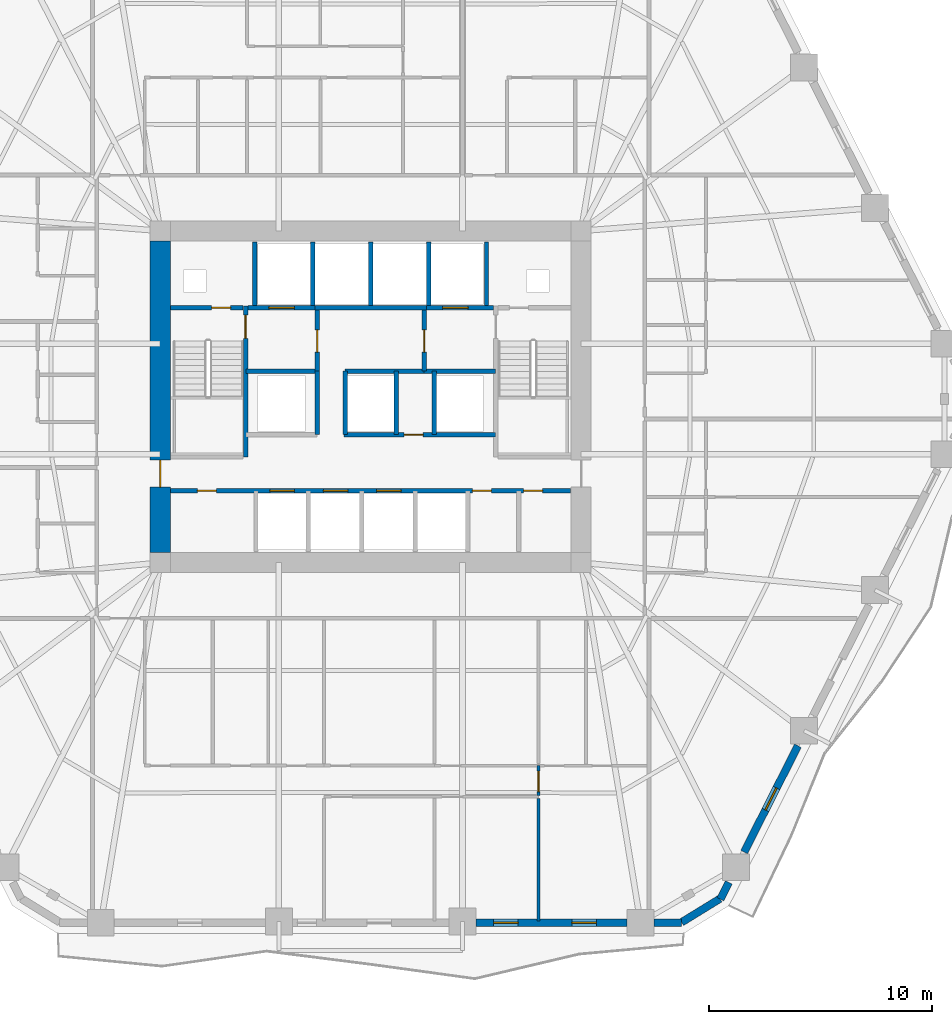
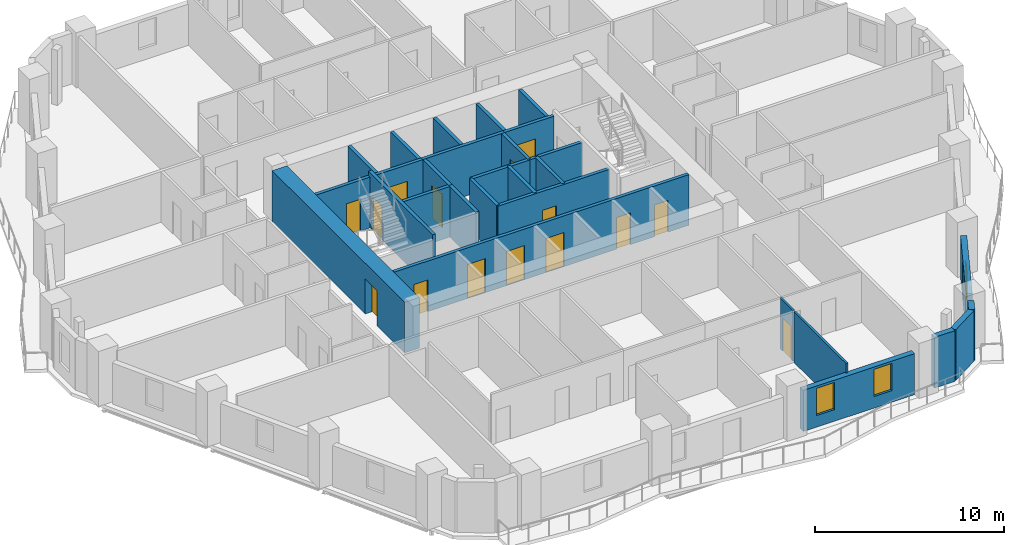
# One storey, part 5 of 12: 29 walls, 15 doors, 3 windows, 18 openings.
"""IFC4 building model written with IfcOpenShell, lengths in metres."""

import ifcopenshell
import ifcopenshell.guid

model = None  # the IFC model being written
_history = None  # IfcOwnerHistory: only IFC2X3 demands one
_inside = {}  # id of a spatial element -> (the spatial element, [elements in it])
_under = {}  # id of a project, library or spatial element -> (it, [spatial elements below it])
_declared = {}  # id of a project -> (the project, [libraries it declares])
_typed = {}  # id of a type object -> (the type object, [elements of that type])
_made_of = {}  # id of a material, layer set ... -> (it, [elements and type objects made of it])


def new_model(schema):
    """Start an empty IFC model of exactly this schema.

    Asked for "IFC4X3", IfcOpenShell would pick the latest addendum, in which some entities
    have other attributes; the version numbers below select the first issue.
    IFC2X3 requires an IfcOwnerHistory on every rooted entity: one is made here for all.
    """
    global model, _history
    if schema == "IFC4X3":
        model = ifcopenshell.file(schema_version=(4, 3, 0, 0))
    else:
        model = ifcopenshell.file(schema=schema)
    _inside.clear()
    _under.clear()
    _declared.clear()
    _typed.clear()
    _made_of.clear()
    _history = None
    if model.schema == "IFC2X3":
        org = make("IfcOrganization", Name="unknown")
        user = make(
            "IfcPersonAndOrganization",
            ThePerson=make("IfcPerson", FamilyName="unknown"),
            TheOrganization=org,
        )
        app = make(
            "IfcApplication",
            ApplicationDeveloper=org,
            Version="unknown",
            ApplicationFullName="unknown",
            ApplicationIdentifier="unknown",
        )
        _history = make(
            "IfcOwnerHistory",
            OwningUser=user,
            OwningApplication=app,
            ChangeAction="ADDED",
            CreationDate=0,
        )
    return model


def make(cls, **values):
    """One entity of the class cls with the attributes given. An attribute that is None is left unset."""
    return model.create_entity(
        cls, **{name: value for name, value in values.items() if value is not None}
    )


def rooted(cls, **values):
    """An entity with a GlobalId (a new one), such as an element, a storey or a relation."""
    return make(cls, GlobalId=ifcopenshell.guid.new(), OwnerHistory=_history, **values)


def si_unit(unit_type, name, prefix=None):
    """IfcSIUnit, for example si_unit("LENGTHUNIT", "METRE", prefix="MILLI")."""
    return make("IfcSIUnit", UnitType=unit_type, Prefix=prefix, Name=name)


def assignment(units):
    """IfcUnitAssignment: the units of a project."""
    return None if units is None else make("IfcUnitAssignment", Units=units)


def point(xyz):
    """IfcCartesianPoint."""
    return None if xyz is None else make("IfcCartesianPoint", Coordinates=xyz)


def direction(xyz):
    """IfcDirection."""
    return None if xyz is None else make("IfcDirection", DirectionRatios=xyz)


def frame(location, z_axis=None, x_axis=None):
    """IfcAxis2Placement3D, a coordinate frame: its origin and axes. An axis left out is left unset."""
    return make(
        "IfcAxis2Placement3D",
        Location=point(location),
        Axis=direction(z_axis),
        RefDirection=direction(x_axis),
    )


def frame_2d(location, x_axis=None):
    """IfcAxis2Placement2D, a coordinate frame in the plane: its origin and x axis."""
    return make(
        "IfcAxis2Placement2D", Location=point(location), RefDirection=direction(x_axis)
    )


def origin():
    """The frame at (0, 0, 0) with its axes left unset."""
    return frame((0.0, 0.0, 0.0))


def place(relative_to, where):
    """IfcLocalPlacement: puts the frame where relative to a parent placement (None: the world)."""
    return make(
        "IfcLocalPlacement", PlacementRelTo=relative_to, RelativePlacement=where
    )


def context(
    kind, dimensions, precision=None, world=None, true_north=None, identifier=None
):
    """IfcGeometricRepresentationContext, for example the 3D "Model" context."""
    return make(
        "IfcGeometricRepresentationContext",
        ContextIdentifier=identifier,
        ContextType=kind,
        CoordinateSpaceDimension=dimensions,
        Precision=precision,
        WorldCoordinateSystem=world,
        TrueNorth=true_north,
    )


def subcontext(parent, identifier, kind, view, scale=None):
    """IfcGeometricRepresentationSubContext, for example "Body" below "Model"."""
    return make(
        "IfcGeometricRepresentationSubContext",
        ContextIdentifier=identifier,
        ContextType=kind,
        ParentContext=parent,
        TargetScale=scale,
        TargetView=view,
    )


def project(units=None, contexts=None):
    """IfcProject with its units and contexts."""
    return rooted(
        "IfcProject",
        Name="project",
        RepresentationContexts=contexts,
        UnitsInContext=assignment(units),
    )


def spatial(cls, under=None, at=None, **own):
    """A site, building, storey or space (cls), placed at a placement, below another one or the project."""
    s = rooted(cls, ObjectPlacement=at, **own)
    if under is not None:
        _under.setdefault(under.id(), (under, []))[1].append(s)
    return s


def profile(cls, at=None, kind="AREA", **sizes):
    """A parametric profile (cls). Its sizes go by their IFC names, for example OverallWidth=200.0."""
    return make(cls, ProfileType=kind, Position=at, **sizes)


def rectangle(**sizes):
    """IfcRectangleProfileDef."""
    return profile("IfcRectangleProfileDef", **sizes)


def extrude(swept, where, along, depth):
    """IfcExtrudedAreaSolid: the profile swept, set in the frame where, extruded along a direction by depth."""
    return make(
        "IfcExtrudedAreaSolid",
        SweptArea=swept,
        Position=where,
        ExtrudedDirection=direction(along),
        Depth=depth,
    )


def shape(context_of_items, identifier, shape_type, items):
    """IfcShapeRepresentation: the items that make up one representation, for example the "Body"."""
    return make(
        "IfcShapeRepresentation",
        ContextOfItems=context_of_items,
        RepresentationIdentifier=identifier,
        RepresentationType=shape_type,
        Items=items,
    )


def material(Name=None, Category=None):
    """IfcMaterial."""
    return make("IfcMaterial", Name=Name, Category=Category)


def layer(
    of_material, thickness, ventilated=None, Name=None, Category=None, Priority=None
):
    """IfcMaterialLayer: one layer of a wall or slab, of a material (None: an air gap)."""
    return make(
        "IfcMaterialLayer",
        Material=of_material,
        LayerThickness=thickness,
        IsVentilated=ventilated,
        Name=Name,
        Category=Category,
        Priority=Priority,
    )


def layer_set(layers, Name=None):
    """IfcMaterialLayerSet."""
    return make("IfcMaterialLayerSet", MaterialLayers=layers, LayerSetName=Name)


def made_of(thing, what):
    """Note that an element or type object is made of a material, layer set ...; save() writes the relation."""
    if what is not None:
        _made_of.setdefault(what.id(), (what, []))[1].append(thing)
    return thing


def type_object(cls, material=None, **own):
    """A type object (cls), such as IfcWallType, which elements share."""
    return made_of(rooted(cls, **own), material)


def element(
    cls,
    number,
    at=None,
    inside=None,
    cuts=None,
    type_object=None,
    material=None,
    context=None,
    identifier="Body",
    shape_type=None,
    held_by="IfcProductDefinitionShape",
    body=None,
    shapes=None,
    **own,
):
    """One element of the class cls, such as IfcWall. Its Tag is "e" and its number.

    at: its placement. inside: the storey or other place that contains it. cuts: it is an
    opening in that element (IfcRelVoidsElement). A single representation is given by context,
    identifier, shape_type and body (its items); several are given by shapes. held_by: the class
    of the entity that holds the representations. save() writes the other relations.
    """
    e = rooted(cls, Tag="e%d" % number, ObjectPlacement=at, **own)
    if body is not None:
        shapes = [shape(context, identifier, shape_type, body)]
    if shapes is not None:
        e.Representation = make(held_by, Representations=shapes)
    if inside is not None:
        _inside.setdefault(inside.id(), (inside, []))[1].append(e)
    if cuts is not None:
        rooted(
            "IfcRelVoidsElement", RelatingBuildingElement=cuts, RelatedOpeningElement=e
        )
    if type_object is not None:
        _typed.setdefault(type_object.id(), (type_object, []))[1].append(e)
    return made_of(e, material)


def fill(opening, filler):
    """IfcRelFillsElement: the door or window that sits in an opening."""
    return rooted(
        "IfcRelFillsElement",
        RelatingOpeningElement=opening,
        RelatedBuildingElement=filler,
    )


def aggregate(whole, parts):
    """IfcRelAggregates: a whole, such as a stair, and the parts it consists of."""
    return rooted("IfcRelAggregates", RelatingObject=whole, RelatedObjects=parts)


def save(model, path):
    """Write the relations noted so far, then the file.

    IfcRelAggregates (storeys below a building ...), IfcRelContainedInSpatialStructure (elements
    in a storey), IfcRelDefinesByType, IfcRelAssociatesMaterial and IfcRelDeclares: one each for
    every whole, place, type object, material and project.
    """
    for whole, parts in _under.values():
        aggregate(whole, parts)
    for where, things in _inside.values():
        rooted(
            "IfcRelContainedInSpatialStructure",
            RelatedElements=things,
            RelatingStructure=where,
        )
    for kind, things in _typed.values():
        rooted("IfcRelDefinesByType", RelatedObjects=things, RelatingType=kind)
    for what, things in _made_of.values():
        rooted("IfcRelAssociatesMaterial", RelatedObjects=things, RelatingMaterial=what)
    for by, libraries in _declared.values():
        rooted("IfcRelDeclares", RelatingContext=by, RelatedDefinitions=libraries)
    model.write(path)


model = new_model("IFC4")

# Units and contexts
model_context = context("Model", 3, precision=1e-05, world=origin(), true_north=direction((0.0, 1.0)))
body_context = subcontext(model_context, "Body", "Model", "MODEL_VIEW")
ifc_project = project(units=[si_unit("LENGTHUNIT", "METRE"), si_unit("AREAUNIT", "SQUARE_METRE"), si_unit("VOLUMEUNIT", "CUBIC_METRE"), si_unit("PLANEANGLEUNIT", "RADIAN"), si_unit("MASSUNIT", "GRAM", prefix="KILO")], contexts=[model_context])

# Site, building, storey
site_placement = place(None, origin())
site = spatial("IfcSite", under=ifc_project, at=site_placement, CompositionType="ELEMENT")
building_placement = place(site_placement, origin())
building = spatial("IfcBuilding", under=site, at=building_placement, Name="Cinnabar Lancet Tower", CompositionType="ELEMENT")
storey_placement = place(building_placement, frame((0.0, 0.0, 71.050048828125)))
storey = spatial("IfcBuildingStorey", under=building, at=storey_placement, Name="L18", CompositionType="ELEMENT", Elevation=71.050048828125)

# Wall, opening, door
ifc_material_1 = material(Name="Autoclaved aerated concrete blockwork", Category="masonry")
ifc_layer_1 = layer(ifc_material_1, 0.199951171875)
ifc_layer_set_1 = layer_set([ifc_layer_1], Name="Autoclaved aerated concrete blockwork")
wall_type_1 = type_object("IfcWallType", Name="ARC-WL-SHAFT-200", PredefinedType="PLUMBINGWALL", material=ifc_layer_set_1)
wall_1_placement = place(storey_placement, frame((23.405029296875, 29.89990234375, 0.0), z_axis=(0.0, 0.0, 1.0), x_axis=(1.0, 0.0, 0.0)))
wall_1 = element("IfcWall", 1, at=wall_1_placement, inside=storey, type_object=wall_type_1, Name="CW-NSH-W-L18", PredefinedType="PLUMBINGWALL", context=body_context, shape_type="SweptSolid", body=[
    extrude(rectangle(XDim=3.27001953125, YDim=0.199951171875, at=frame_2d((1.635009765625, 0.0))), origin(), (0.0, 0.0, 1.0), 3.27001953125),
])
opening_1_placement = place(wall_1_placement, frame((1.85009765625, 0.0, 0.0)))
opening_1 = element("IfcOpeningElement", 2, at=opening_1_placement, cuts=wall_1, Name="Opening PD-02", PredefinedType="OPENING", context=body_context, shape_type="SweptSolid", body=[
    extrude(rectangle(XDim=0.85009765625, YDim=2.050048828125, at=frame_2d((0.425048828125, 1.02490234375))), frame((0.0, 0.10986328125, 0.0), z_axis=(0.0, -1.0, 0.0), x_axis=(1.0, 0.0, 0.0)), (0.0, 0.0, 1.0), 0.219970703125),
])
ifc_material_2 = material(Name="Fire-rated steel riser access door", Category="steel")
door_type_1 = type_object("IfcDoorType", Name="ARC-DR-RISER", OperationType="NOTDEFINED", PredefinedType="DOOR", material=ifc_material_2)
door_1_placement = place(opening_1_placement, origin())
door_1 = element("IfcDoor", 3, at=door_1_placement, inside=storey, type_object=door_type_1, Name="L18 West Riser Access Door", OperationType="SINGLE_SWING_LEFT", OverallHeight=2.050048828125, OverallWidth=0.85009765625, PredefinedType="DOOR", context=body_context, shape_type="SweptSolid", body=[
    extrude(rectangle(XDim=0.85009765625, YDim=2.050048828125, at=frame_2d((0.425048828125, 1.02490234375))), frame((0.0, 0.02490234375, 0.0), z_axis=(0.0, -1.0, 0.0), x_axis=(1.0, 0.0, 0.0)), (0.0, 0.0, 1.0), 0.050048828125),
])
fill(opening_1, door_1)

wall_2_placement = place(storey_placement, frame((26.885009765625, 29.89990234375, 0.0), z_axis=(0.0, 0.0, 1.0), x_axis=(1.0, 0.0, 0.0)))
wall_2 = element("IfcWall", 4, at=wall_2_placement, inside=storey, type_object=wall_type_1, Name="CW-FL1-L18", PredefinedType="PLUMBINGWALL", context=body_context, shape_type="SweptSolid", body=[
    extrude(rectangle(XDim=3.014892578125, YDim=0.199951171875, at=frame_2d((1.50732421875, 0.0))), origin(), (0.0, 0.0, 1.0), 3.27001953125),
])
opening_2_placement = place(wall_2_placement, frame((0.93994140625, 0.0, 0.0)))
opening_2 = element("IfcOpeningElement", 5, at=opening_2_placement, cuts=wall_2, Name="Opening LD-02", PredefinedType="OPENING", context=body_context, shape_type="SweptSolid", body=[
    extrude(rectangle(XDim=1.14990234375, YDim=2.199951171875, at=frame_2d((0.574951171875, 1.10009765625))), frame((0.0, 0.10986328125, 0.0), z_axis=(0.0, -1.0, 0.0), x_axis=(1.0, 0.0, 0.0)), (0.0, 0.0, 1.0), 0.219970703125),
])
ifc_material_3 = material(Name="Fire-rated stainless steel firefighting lift landing door", Category="steel")
door_type_2 = type_object("IfcDoorType", Name="ARC-DR-LD-FIRE", OperationType="NOTDEFINED", PredefinedType="DOOR", material=ifc_material_3)
door_2_placement = place(opening_2_placement, origin())
door_2 = element("IfcDoor", 6, at=door_2_placement, inside=storey, type_object=door_type_2, Name="L18 Firefighting Lift FL-1 Landing Door", OperationType="DOUBLE_DOOR_SLIDING", OverallHeight=2.199951171875, OverallWidth=1.14990234375, PredefinedType="DOOR", context=body_context, shape_type="SweptSolid", body=[
    extrude(rectangle(XDim=1.14990234375, YDim=2.199951171875, at=frame_2d((0.574951171875, 1.10009765625))), frame((0.0, 0.02490234375, 0.0), z_axis=(0.0, -1.0, 0.0), x_axis=(1.0, 0.0, 0.0)), (0.0, 0.0, 1.0), 0.050048828125),
])
fill(opening_2, door_2)

# Wall
wall_3_placement = place(storey_placement, frame((29.89990234375, 29.89990234375, 0.0), z_axis=(0.0, 0.0, 1.0), x_axis=(1.0, 0.0, 0.0)))
element("IfcWall", 7, at=wall_3_placement, inside=storey, type_object=wall_type_1, Name="CW-PL78-L18", PredefinedType="PLUMBINGWALL", context=body_context, shape_type="SweptSolid", body=[
    extrude(rectangle(XDim=5.0, YDim=0.199951171875, at=frame_2d((2.5, 0.0))), origin(), (0.0, 0.0, 1.0), 3.27001953125),
])

# Wall, opening, door
wall_4_placement = place(storey_placement, frame((34.89990234375, 29.89990234375, 0.0), z_axis=(0.0, 0.0, 1.0), x_axis=(1.0, 0.0, 0.0)))
wall_4 = element("IfcWall", 8, at=wall_4_placement, inside=storey, type_object=wall_type_1, Name="CW-FL2-L18", PredefinedType="PLUMBINGWALL", context=body_context, shape_type="SweptSolid", body=[
    extrude(rectangle(XDim=3.01513671875, YDim=0.199951171875, at=frame_2d((1.507568359375, 0.0))), origin(), (0.0, 0.0, 1.0), 3.27001953125),
])
opening_3_placement = place(wall_4_placement, frame((0.72509765625, 0.0, 0.0)))
opening_3 = element("IfcOpeningElement", 9, at=opening_3_placement, cuts=wall_4, Name="Opening LD-02", PredefinedType="OPENING", context=body_context, shape_type="SweptSolid", body=[
    extrude(rectangle(XDim=1.14990234375, YDim=2.199951171875, at=frame_2d((0.574951171875, 1.10009765625))), frame((0.0, 0.10986328125, 0.0), z_axis=(0.0, -1.0, 0.0), x_axis=(1.0, 0.0, 0.0)), (0.0, 0.0, 1.0), 0.219970703125),
])
door_3_placement = place(opening_3_placement, origin())
door_3 = element("IfcDoor", 10, at=door_3_placement, inside=storey, type_object=door_type_2, Name="L18 Firefighting Lift FL-2 Landing Door", OperationType="DOUBLE_DOOR_SLIDING", OverallHeight=2.199951171875, OverallWidth=1.14990234375, PredefinedType="DOOR", context=body_context, shape_type="SweptSolid", body=[
    extrude(rectangle(XDim=1.14990234375, YDim=2.199951171875, at=frame_2d((0.574951171875, 1.10009765625))), frame((0.0, 0.02490234375, 0.0), z_axis=(0.0, -1.0, 0.0), x_axis=(1.0, 0.0, 0.0)), (0.0, 0.0, 1.0), 0.050048828125),
])
fill(opening_3, door_3)

# Walls
for number, where, z_axis, x_axis, name in (
    (11, (27.199951171875, 30.0, 0.0), (0.0, 0.0, 1.0), (0.0, 1.0, 0.0), "CW-NSH-D1-L18"),
    (12, (29.800048828125, 30.0, 0.0), (0.0, 0.0, 1.0), (0.0, 1.0, 0.0), "CW-NSH-D2-L18"),
    (13, (32.39990234375, 30.0, 0.0), (0.0, 0.0, 1.0), (0.0, 1.0, 0.0), "CW-NSH-D3-L18"),
    (14, (35.0, 30.0, 0.0), (0.0, 0.0, 1.0), (0.0, 1.0, 0.0), "CW-NSH-D4-L18"),
    (15, (37.60009765625, 30.0, 0.0), (0.0, 0.0, 1.0), (0.0, 1.0, 0.0), "CW-NSH-D5-L18"),
):
    element("IfcWall", number, at=place(storey_placement, frame(where, z_axis=z_axis, x_axis=x_axis)), inside=storey, type_object=wall_type_1, Name=name, PredefinedType="PLUMBINGWALL", context=body_context, shape_type="SweptSolid", body=[
        extrude(rectangle(XDim=2.85009765625, YDim=0.199951171875, at=frame_2d((1.425048828125, 0.0))), origin(), (0.0, 0.0, 1.0), 3.27001953125),
    ])

# Wall, opening, door
wall_5_placement = place(storey_placement, frame((30.0, 27.050048828125, 0.0), z_axis=(0.0, 0.0, 1.0), x_axis=(0.0, 1.0, 0.0)))
wall_5 = element("IfcWall", 16, at=wall_5_placement, inside=storey, type_object=wall_type_1, Name="CW-FF1E-L18", PredefinedType="PLUMBINGWALL", context=body_context, shape_type="SweptSolid", body=[
    extrude(rectangle(XDim=2.75, YDim=0.199951171875, at=frame_2d((1.375, 0.0))), origin(), (0.0, 0.0, 1.0), 3.27001953125),
])
opening_4_placement = place(wall_5_placement, frame((0.85009765625, 0.0, 0.0)))
opening_4 = element("IfcOpeningElement", 17, at=opening_4_placement, cuts=wall_5, Name="Opening FD-01", PredefinedType="OPENING", context=body_context, shape_type="SweptSolid", body=[
    extrude(rectangle(XDim=1.0, YDim=2.14990234375, at=frame_2d((0.5, 1.074951171875))), frame((0.0, 0.10986328125, 0.0), z_axis=(0.0, -1.0, 0.0), x_axis=(1.0, 0.0, 0.0)), (0.0, 0.0, 1.0), 0.219970703125),
])
ifc_material_4 = material(Name="Fire-rated timber-core lobby door", Category="wood")
door_type_3 = type_object("IfcDoorType", Name="ARC-DR-FFAL", OperationType="NOTDEFINED", PredefinedType="DOOR", material=ifc_material_4)
door_4_placement = place(opening_4_placement, origin())
door_4 = element("IfcDoor", 18, at=door_4_placement, inside=storey, type_object=door_type_3, Name="L18 FFAL-1 Lobby Fire Door", OperationType="SINGLE_SWING_RIGHT", OverallHeight=2.14990234375, OverallWidth=1.0, PredefinedType="DOOR", context=body_context, shape_type="SweptSolid", body=[
    extrude(rectangle(XDim=1.0, YDim=2.14990234375, at=frame_2d((0.5, 1.074951171875))), frame((0.0, 0.02490234375, 0.0), z_axis=(0.0, -1.0, 0.0), x_axis=(1.0, 0.0, 0.0)), (0.0, 0.0, 1.0), 0.050048828125),
])
fill(opening_4, door_4)

# Wall
wall_6_placement = place(storey_placement, frame((26.800048828125, 27.050048828125, 0.0), z_axis=(0.0, 0.0, 1.0), x_axis=(1.0, 0.0, 0.0)))
element("IfcWall", 19, at=wall_6_placement, inside=storey, type_object=wall_type_1, Name="CW-FF1S-L18", PredefinedType="PLUMBINGWALL", context=body_context, shape_type="SweptSolid", body=[
    extrude(rectangle(XDim=3.199951171875, YDim=0.199951171875, at=frame_2d((1.60009765625, 0.0))), origin(), (0.0, 0.0, 1.0), 3.27001953125),
])

# Wall, opening, door
wall_7_placement = place(storey_placement, frame((34.800048828125, 27.050048828125, 0.0), z_axis=(0.0, 0.0, 1.0), x_axis=(0.0, 1.0, 0.0)))
wall_7 = element("IfcWall", 20, at=wall_7_placement, inside=storey, type_object=wall_type_1, Name="CW-FF2W-L18", PredefinedType="PLUMBINGWALL", context=body_context, shape_type="SweptSolid", body=[
    extrude(rectangle(XDim=2.75, YDim=0.199951171875, at=frame_2d((1.375, 0.0))), origin(), (0.0, 0.0, 1.0), 3.27001953125),
])
opening_5_placement = place(wall_7_placement, frame((0.85009765625, 0.0, 0.0)))
opening_5 = element("IfcOpeningElement", 21, at=opening_5_placement, cuts=wall_7, Name="Opening FD-01", PredefinedType="OPENING", context=body_context, shape_type="SweptSolid", body=[
    extrude(rectangle(XDim=1.0, YDim=2.14990234375, at=frame_2d((0.5, 1.074951171875))), frame((0.0, 0.10986328125, 0.0), z_axis=(0.0, -1.0, 0.0), x_axis=(1.0, 0.0, 0.0)), (0.0, 0.0, 1.0), 0.219970703125),
])
door_5_placement = place(opening_5_placement, origin())
door_5 = element("IfcDoor", 22, at=door_5_placement, inside=storey, type_object=door_type_3, Name="L18 FFAL-2 Lobby Fire Door", OperationType="SINGLE_SWING_LEFT", OverallHeight=2.14990234375, OverallWidth=1.0, PredefinedType="DOOR", context=body_context, shape_type="SweptSolid", body=[
    extrude(rectangle(XDim=1.0, YDim=2.14990234375, at=frame_2d((0.5, 1.074951171875))), frame((0.0, 0.02490234375, 0.0), z_axis=(0.0, -1.0, 0.0), x_axis=(1.0, 0.0, 0.0)), (0.0, 0.0, 1.0), 0.050048828125),
])
fill(opening_5, door_5)

# Walls
wall_8_placement = place(storey_placement, frame((34.800048828125, 27.050048828125, 0.0), z_axis=(0.0, 0.0, 1.0), x_axis=(1.0, 0.0, 0.0)))
element("IfcWall", 23, at=wall_8_placement, inside=storey, type_object=wall_type_1, Name="CW-FF2S-L18", PredefinedType="PLUMBINGWALL", context=body_context, shape_type="SweptSolid", body=[
    extrude(rectangle(XDim=3.199951171875, YDim=0.199951171875, at=frame_2d((1.60009765625, 0.0))), origin(), (0.0, 0.0, 1.0), 3.27001953125),
])
wall_9_placement = place(storey_placement, frame((30.0, 24.199951171875, 0.0), z_axis=(0.0, 0.0, 1.0), x_axis=(0.0, 1.0, 0.0)))
element("IfcWall", 24, at=wall_9_placement, inside=storey, type_object=wall_type_1, Name="CW-PL5E-L18", PredefinedType="PLUMBINGWALL", context=body_context, shape_type="SweptSolid", body=[
    extrude(rectangle(XDim=2.85009765625, YDim=0.199951171875, at=frame_2d((1.425048828125, 0.0))), origin(), (0.0, 0.0, 1.0), 3.27001953125),
])

# Wall, opening, door
wall_10_placement = place(storey_placement, frame((31.199951171875, 24.199951171875, 0.0), z_axis=(0.0, 0.0, 1.0), x_axis=(1.0, 0.0, 0.0)))
wall_10 = element("IfcWall", 25, at=wall_10_placement, inside=storey, type_object=wall_type_1, Name="CW-PL96S-L18", PredefinedType="PLUMBINGWALL", context=body_context, shape_type="SweptSolid", body=[
    extrude(rectangle(XDim=6.800048828125, YDim=0.199951171875, at=frame_2d((3.39990234375, 0.0))), origin(), (0.0, 0.0, 1.0), 3.27001953125),
])
opening_6_placement = place(wall_10_placement, frame((2.699951171875, 0.0, 0.0)))
opening_6 = element("IfcOpeningElement", 26, at=opening_6_placement, cuts=wall_10, Name="Opening PD-02", PredefinedType="OPENING", context=body_context, shape_type="SweptSolid", body=[
    extrude(rectangle(XDim=0.85009765625, YDim=2.050048828125, at=frame_2d((0.425048828125, 1.02490234375))), frame((0.0, 0.10986328125, 0.0), z_axis=(0.0, -1.0, 0.0), x_axis=(1.0, 0.0, 0.0)), (0.0, 0.0, 1.0), 0.219970703125),
])
door_6_placement = place(opening_6_placement, origin())
door_6 = element("IfcDoor", 27, at=door_6_placement, inside=storey, type_object=door_type_1, Name="L18 BMS Closet Door", OperationType="SINGLE_SWING_LEFT", OverallHeight=2.050048828125, OverallWidth=0.85009765625, PredefinedType="DOOR", context=body_context, shape_type="SweptSolid", body=[
    extrude(rectangle(XDim=0.85009765625, YDim=2.050048828125, at=frame_2d((0.425048828125, 1.02490234375))), frame((0.0, 0.02490234375, 0.0), z_axis=(0.0, -1.0, 0.0), x_axis=(1.0, 0.0, 0.0)), (0.0, 0.0, 1.0), 0.050048828125),
])
fill(opening_6, door_6)

# Walls
for number, where, z_axis, x_axis, name in (
    (28, (31.25, 24.199951171875, 0.0), (0.0, 0.0, 1.0), (0.0, 1.0, 0.0), "CW-PL9W-L18"),
    (29, (33.550048828125, 24.199951171875, 0.0), (0.0, 0.0, 1.0), (0.0, 1.0, 0.0), "CW-PL9E-L18"),
    (30, (35.25, 24.199951171875, 0.0), (0.0, 0.0, 1.0), (0.0, 1.0, 0.0), "CW-PL6W-L18"),
):
    element("IfcWall", number, at=place(storey_placement, frame(where, z_axis=z_axis, x_axis=x_axis)), inside=storey, type_object=wall_type_1, Name=name, PredefinedType="PLUMBINGWALL", context=body_context, shape_type="SweptSolid", body=[
        extrude(rectangle(XDim=2.85009765625, YDim=0.199951171875, at=frame_2d((1.425048828125, 0.0))), origin(), (0.0, 0.0, 1.0), 3.27001953125),
    ])
wall_11_placement = place(storey_placement, frame((31.25, 27.050048828125, 0.0), z_axis=(0.0, 0.0, 1.0), x_axis=(1.0, 0.0, 0.0)))
element("IfcWall", 31, at=wall_11_placement, inside=storey, type_object=wall_type_1, Name="CW-PL96N-L18", PredefinedType="PLUMBINGWALL", context=body_context, shape_type="SweptSolid", body=[
    extrude(rectangle(XDim=3.550048828125, YDim=0.199951171875, at=frame_2d((1.77490234375, 0.0))), origin(), (0.0, 0.0, 1.0), 3.27001953125),
])

# Wall, openings, doors
wall_12_placement = place(storey_placement, frame((23.419921875, 21.679931640625, 0.0), z_axis=(0.0, 0.0, 1.0), x_axis=(1.0, 0.0, 0.0)))
wall_12 = element("IfcWall", 32, at=wall_12_placement, inside=storey, type_object=wall_type_1, Name="CW-SBANDN-L18", PredefinedType="PLUMBINGWALL", context=body_context, shape_type="SweptSolid", body=[
    extrude(rectangle(XDim=17.9599609375, YDim=0.199951171875, at=frame_2d((8.97998046875, 0.0))), origin(), (0.0, 0.0, 1.0), 3.27001953125),
])
opening_7_placement = place(wall_12_placement, frame((4.449951171875, 0.0, 0.0)))
opening_7 = element("IfcOpeningElement", 33, at=opening_7_placement, cuts=wall_12, Name="Opening LD-01", PredefinedType="OPENING", context=body_context, shape_type="SweptSolid", body=[
    extrude(rectangle(XDim=1.10009765625, YDim=2.199951171875, at=frame_2d((0.550048828125, 1.10009765625))), frame((0.0, 0.10986328125, 0.0), z_axis=(0.0, -1.0, 0.0), x_axis=(1.0, 0.0, 0.0)), (0.0, 0.0, 1.0), 0.219970703125),
])
opening_8_placement = place(wall_12_placement, frame((6.85009765625, 0.0, 0.0)))
opening_8 = element("IfcOpeningElement", 34, at=opening_8_placement, cuts=wall_12, Name="Opening LD-01", PredefinedType="OPENING", context=body_context, shape_type="SweptSolid", body=[
    extrude(rectangle(XDim=1.10009765625, YDim=2.199951171875, at=frame_2d((0.550048828125, 1.10009765625))), frame((0.0, 0.10986328125, 0.0), z_axis=(0.0, -1.0, 0.0), x_axis=(1.0, 0.0, 0.0)), (0.0, 0.0, 1.0), 0.219970703125),
])
opening_9_placement = place(wall_12_placement, frame((9.25, 0.0, 0.0)))
opening_9 = element("IfcOpeningElement", 35, at=opening_9_placement, cuts=wall_12, Name="Opening LD-01", PredefinedType="OPENING", context=body_context, shape_type="SweptSolid", body=[
    extrude(rectangle(XDim=1.10009765625, YDim=2.199951171875, at=frame_2d((0.550048828125, 1.10009765625))), frame((0.0, 0.10986328125, 0.0), z_axis=(0.0, -1.0, 0.0), x_axis=(1.0, 0.0, 0.0)), (0.0, 0.0, 1.0), 0.219970703125),
])
opening_10_placement = place(wall_12_placement, frame((1.199951171875, 0.0, 0.0)))
opening_10 = element("IfcOpeningElement", 36, at=opening_10_placement, cuts=wall_12, Name="Opening PD-02", PredefinedType="OPENING", context=body_context, shape_type="SweptSolid", body=[
    extrude(rectangle(XDim=0.85009765625, YDim=2.050048828125, at=frame_2d((0.425048828125, 1.02490234375))), frame((0.0, 0.10986328125, 0.0), z_axis=(0.0, -1.0, 0.0), x_axis=(1.0, 0.0, 0.0)), (0.0, 0.0, 1.0), 0.219970703125),
])
opening_11_placement = place(wall_12_placement, frame((13.550048828125, 0.0, 0.0)))
opening_11 = element("IfcOpeningElement", 37, at=opening_11_placement, cuts=wall_12, Name="Opening PD-02", PredefinedType="OPENING", context=body_context, shape_type="SweptSolid", body=[
    extrude(rectangle(XDim=0.85009765625, YDim=2.050048828125, at=frame_2d((0.425048828125, 1.02490234375))), frame((0.0, 0.10986328125, 0.0), z_axis=(0.0, -1.0, 0.0), x_axis=(1.0, 0.0, 0.0)), (0.0, 0.0, 1.0), 0.219970703125),
])
opening_12_placement = place(wall_12_placement, frame((15.85009765625, 0.0, 0.0)))
opening_12 = element("IfcOpeningElement", 38, at=opening_12_placement, cuts=wall_12, Name="Opening PD-02", PredefinedType="OPENING", context=body_context, shape_type="SweptSolid", body=[
    extrude(rectangle(XDim=0.85009765625, YDim=2.050048828125, at=frame_2d((0.425048828125, 1.02490234375))), frame((0.0, 0.10986328125, 0.0), z_axis=(0.0, -1.0, 0.0), x_axis=(1.0, 0.0, 0.0)), (0.0, 0.0, 1.0), 0.219970703125),
])
ifc_material_5 = material(Name="Brushed stainless steel sliding lift door", Category="steel")
door_type_4 = type_object("IfcDoorType", Name="ARC-DR-LD-PASS", OperationType="NOTDEFINED", PredefinedType="DOOR", material=ifc_material_5)
door_7_placement = place(opening_7_placement, origin())
door_7 = element("IfcDoor", 39, at=door_7_placement, inside=storey, type_object=door_type_4, Name="L18 Lift PL-1 Landing Door", OperationType="DOUBLE_DOOR_SLIDING", OverallHeight=2.199951171875, OverallWidth=1.10009765625, PredefinedType="DOOR", context=body_context, shape_type="SweptSolid", body=[
    extrude(rectangle(XDim=1.10009765625, YDim=2.199951171875, at=frame_2d((0.550048828125, 1.10009765625))), frame((0.0, 0.02490234375, 0.0), z_axis=(0.0, -1.0, 0.0), x_axis=(1.0, 0.0, 0.0)), (0.0, 0.0, 1.0), 0.050048828125),
])
fill(opening_7, door_7)
door_8_placement = place(opening_8_placement, origin())
door_8 = element("IfcDoor", 40, at=door_8_placement, inside=storey, type_object=door_type_4, Name="L18 Lift PL-2 Landing Door", OperationType="DOUBLE_DOOR_SLIDING", OverallHeight=2.199951171875, OverallWidth=1.10009765625, PredefinedType="DOOR", context=body_context, shape_type="SweptSolid", body=[
    extrude(rectangle(XDim=1.10009765625, YDim=2.199951171875, at=frame_2d((0.550048828125, 1.10009765625))), frame((0.0, 0.02490234375, 0.0), z_axis=(0.0, -1.0, 0.0), x_axis=(1.0, 0.0, 0.0)), (0.0, 0.0, 1.0), 0.050048828125),
])
fill(opening_8, door_8)
door_9_placement = place(opening_9_placement, origin())
door_9 = element("IfcDoor", 41, at=door_9_placement, inside=storey, type_object=door_type_4, Name="L18 Lift PL-3 Landing Door", OperationType="DOUBLE_DOOR_SLIDING", OverallHeight=2.199951171875, OverallWidth=1.10009765625, PredefinedType="DOOR", context=body_context, shape_type="SweptSolid", body=[
    extrude(rectangle(XDim=1.10009765625, YDim=2.199951171875, at=frame_2d((0.550048828125, 1.10009765625))), frame((0.0, 0.02490234375, 0.0), z_axis=(0.0, -1.0, 0.0), x_axis=(1.0, 0.0, 0.0)), (0.0, 0.0, 1.0), 0.050048828125),
])
fill(opening_9, door_9)
door_10_placement = place(opening_10_placement, origin())
door_10 = element("IfcDoor", 42, at=door_10_placement, inside=storey, type_object=door_type_1, Name="DR-L18-SW1", OperationType="SINGLE_SWING_LEFT", OverallHeight=2.050048828125, OverallWidth=0.85009765625, PredefinedType="DOOR", context=body_context, shape_type="SweptSolid", body=[
    extrude(rectangle(XDim=0.85009765625, YDim=2.050048828125, at=frame_2d((0.425048828125, 1.02490234375))), frame((0.0, 0.02490234375, 0.0), z_axis=(0.0, -1.0, 0.0), x_axis=(1.0, 0.0, 0.0)), (0.0, 0.0, 1.0), 0.050048828125),
])
fill(opening_10, door_10)
door_11_placement = place(opening_11_placement, origin())
door_11 = element("IfcDoor", 43, at=door_11_placement, inside=storey, type_object=door_type_1, Name="DR-L18-SE1", OperationType="SINGLE_SWING_LEFT", OverallHeight=2.050048828125, OverallWidth=0.85009765625, PredefinedType="DOOR", context=body_context, shape_type="SweptSolid", body=[
    extrude(rectangle(XDim=0.85009765625, YDim=2.050048828125, at=frame_2d((0.425048828125, 1.02490234375))), frame((0.0, 0.02490234375, 0.0), z_axis=(0.0, -1.0, 0.0), x_axis=(1.0, 0.0, 0.0)), (0.0, 0.0, 1.0), 0.050048828125),
])
fill(opening_11, door_11)
door_12_placement = place(opening_12_placement, origin())
door_12 = element("IfcDoor", 44, at=door_12_placement, inside=storey, type_object=door_type_1, Name="DR-L18-SE2", OperationType="SINGLE_SWING_RIGHT", OverallHeight=2.050048828125, OverallWidth=0.85009765625, PredefinedType="DOOR", context=body_context, shape_type="SweptSolid", body=[
    extrude(rectangle(XDim=0.85009765625, YDim=2.050048828125, at=frame_2d((0.425048828125, 1.02490234375))), frame((0.0, 0.02490234375, 0.0), z_axis=(0.0, -1.0, 0.0), x_axis=(1.0, 0.0, 0.0)), (0.0, 0.0, 1.0), 0.050048828125),
])
fill(opening_12, door_12)

# Wall, opening, door
ifc_material_6 = material(Name="Gypsum plasterboard stud partition", Category="gypsum")
ifc_layer_2 = layer(ifc_material_6, 0.125)
ifc_layer_set_2 = layer_set([ifc_layer_2], Name="Gypsum plasterboard stud partition")
wall_type_2 = type_object("IfcWallType", Name="ARC-WL-UNIT-125", PredefinedType="PARTITIONING", material=ifc_layer_set_2)
wall_13_placement = place(storey_placement, frame((39.93505859375, 8.007080078125, 0.0), z_axis=(0.0, 0.0, 1.0), x_axis=(0.0, 1.0, 0.0)))
wall_13 = element("IfcWall", 45, at=wall_13_placement, inside=storey, type_object=wall_type_2, Name="UW-L18-S01-MBE", PredefinedType="PARTITIONING", context=body_context, shape_type="SweptSolid", body=[
    extrude(rectangle(XDim=1.329833984375, YDim=0.125, at=frame_2d((0.6650390625, 0.0))), origin(), (0.0, 0.0, 1.0), 3.27001953125),
])
opening_13_placement = place(wall_13_placement, frame((0.159912109375, 0.0, 0.0)))
opening_13 = element("IfcOpeningElement", 46, at=opening_13_placement, cuts=wall_13, Name="Opening RD-01", PredefinedType="OPENING", context=body_context, shape_type="SweptSolid", body=[
    extrude(rectangle(XDim=0.919921875, YDim=2.14990234375, at=frame_2d((0.4599609375, 1.074951171875))), frame((0.0, 0.072509765625, 0.0), z_axis=(0.0, -1.0, 0.0), x_axis=(1.0, 0.0, 0.0)), (0.0, 0.0, 1.0), 0.14501953125),
])
ifc_material_7 = material(Name="Engineered timber bedroom door", Category="wood")
door_type_5 = type_object("IfcDoorType", Name="ARC-DR-ROOM", OperationType="NOTDEFINED", PredefinedType="DOOR", material=ifc_material_7)
door_13_placement = place(opening_13_placement, origin())
door_13 = element("IfcDoor", 47, at=door_13_placement, inside=storey, type_object=door_type_5, Name="DR-L18-S01-MBD", OperationType="SINGLE_SWING_RIGHT", OverallHeight=2.14990234375, OverallWidth=0.919921875, PredefinedType="DOOR", context=body_context, shape_type="SweptSolid", body=[
    extrude(rectangle(XDim=0.919921875, YDim=2.14990234375, at=frame_2d((0.4599609375, 1.074951171875))), frame((0.0, 0.02490234375, 0.0), z_axis=(0.0, -1.0, 0.0), x_axis=(1.0, 0.0, 0.0)), (0.0, 0.0, 1.0), 0.050048828125),
])
fill(opening_13, door_13)

# Walls
wall_14_placement = place(storey_placement, frame((39.93505859375, 2.364990234375, 0.0), z_axis=(0.0, 0.0, 1.0), x_axis=(0.0, 1.0, 0.0)))
element("IfcWall", 48, at=wall_14_placement, inside=storey, type_object=wall_type_2, Name="UW-L18-S01-B23W", PredefinedType="PARTITIONING", context=body_context, shape_type="SweptSolid", body=[
    extrude(rectangle(XDim=5.507080078125, YDim=0.125, at=frame_2d((2.75341796875, 0.0))), origin(), (0.0, 0.0, 1.0), 3.27001953125),
])
ifc_material_8 = material(Name="Cinnabar red clay brick", Category="masonry")
ifc_layer_3 = layer(ifc_material_8, 0.340087890625)
ifc_layer_set_3 = layer_set([ifc_layer_3], Name="Cinnabar red clay brick")
wall_type_3 = type_object("IfcWallType", Name="ENV-WL-BRK-RED-340", PredefinedType="STANDARD", material=ifc_layer_set_3)
wall_15_placement = place(storey_placement, frame((46.361083984375, 2.304931640625, 0.0), z_axis=(0.0, 0.0, 1.0), x_axis=(0.851816122478, 0.523840904748, 0.0)))
element("IfcWall", 49, at=wall_15_placement, inside=storey, type_object=wall_type_3, Name="L18 Chamfered Corner Brick Pier 2.1", PredefinedType="STANDARD", context=body_context, shape_type="SweptSolid", body=[
    extrude(rectangle(XDim=2.01806640625, YDim=0.340087890625, at=frame_2d((1.009033203125, 0.0))), origin(), (0.0, 0.0, 1.0), 3.27001953125),
])

# Wall, openings, windows
wall_16_placement = place(storey_placement, frame((37.1259765625, 2.280029296875, 0.0), z_axis=(0.0, 0.0, 1.0), x_axis=(1.0, 0.0, 0.0)))
wall_16 = element("IfcWall", 50, at=wall_16_placement, inside=storey, type_object=wall_type_3, Name="L18 Face 1 Masonry Bay Wall 4", PredefinedType="STANDARD", context=body_context, shape_type="SweptSolid", body=[
    extrude(rectangle(XDim=6.787109375, YDim=0.340087890625, at=frame_2d((3.3935546875, 0.0))), origin(), (0.0, 0.0, 1.0), 2.65185546875),
])
opening_14_placement = place(wall_16_placement, frame((0.798095703125, 0.0, 0.75)))
opening_14 = element("IfcOpeningElement", 51, at=opening_14_placement, cuts=wall_16, Name="Opening WN-04", PredefinedType="OPENING", context=body_context, shape_type="SweptSolid", body=[
    extrude(rectangle(XDim=1.10009765625, YDim=1.751953125, at=frame_2d((0.550048828125, 0.8759765625))), frame((0.0, 0.179931640625, 0.0), z_axis=(0.0, -1.0, 0.0), x_axis=(1.0, 0.0, 0.0)), (0.0, 0.0, 1.0), 0.360107421875),
])
opening_15_placement = place(wall_16_placement, frame((4.303955078125, 0.0, 0.75)))
opening_15 = element("IfcOpeningElement", 52, at=opening_15_placement, cuts=wall_16, Name="Opening WN-04", PredefinedType="OPENING", context=body_context, shape_type="SweptSolid", body=[
    extrude(rectangle(XDim=1.10009765625, YDim=1.751953125, at=frame_2d((0.550048828125, 0.8759765625))), frame((0.0, 0.179931640625, 0.0), z_axis=(0.0, -1.0, 0.0), x_axis=(1.0, 0.0, 0.0)), (0.0, 0.0, 1.0), 0.360107421875),
])
ifc_material_9 = material(Name="Thermally broken bronze-anodized aluminium tall lancet window", Category="aluminium")
window_type = type_object("IfcWindowType", Name="ENV-WN-LANCET-1100", PartitioningType="SINGLE_PANEL", PredefinedType="WINDOW", material=ifc_material_9)
window_1_placement = place(opening_14_placement, origin())
window_1 = element("IfcWindow", 53, at=window_1_placement, inside=storey, type_object=window_type, Name="L18 Face 1 Gothic Lancet Window 4", OverallHeight=1.751953125, OverallWidth=1.10009765625, PartitioningType="SINGLE_PANEL", PredefinedType="WINDOW", context=body_context, shape_type="SweptSolid", body=[
    extrude(rectangle(XDim=1.10009765625, YDim=1.751953125, at=frame_2d((0.550048828125, 0.8759765625))), frame((0.0, 0.030029296875, 0.0), z_axis=(0.0, -1.0, 0.0), x_axis=(1.0, 0.0, 0.0)), (0.0, 0.0, 1.0), 0.06005859375),
])
fill(opening_14, window_1)
window_2_placement = place(opening_15_placement, origin())
window_2 = element("IfcWindow", 54, at=window_2_placement, inside=storey, type_object=window_type, Name="L18 Split-Bay Gothic Lancet Window 46", OverallHeight=1.751953125, OverallWidth=1.10009765625, PartitioningType="SINGLE_PANEL", PredefinedType="WINDOW", context=body_context, shape_type="SweptSolid", body=[
    extrude(rectangle(XDim=1.10009765625, YDim=1.751953125, at=frame_2d((0.550048828125, 0.8759765625))), frame((0.0, 0.030029296875, 0.0), z_axis=(0.0, -1.0, 0.0), x_axis=(1.0, 0.0, 0.0)), (0.0, 0.0, 1.0), 0.06005859375),
])
fill(opening_15, window_2)

# Walls
wall_17_placement = place(storey_placement, frame((45.12109375, 2.280029296875, 0.0), z_axis=(0.0, 0.0, 1.0), x_axis=(1.0, 0.0, 0.0)))
element("IfcWall", 55, at=wall_17_placement, inside=storey, type_object=wall_type_3, Name="L18 Face 1 Masonry Bay Wall 5", PredefinedType="STANDARD", context=body_context, shape_type="SweptSolid", body=[
    extrude(rectangle(XDim=1.244873046875, YDim=0.340087890625, at=frame_2d((0.62255859375, 0.0))), origin(), (0.0, 0.0, 1.0), 3.27001953125),
])
wall_18_placement = place(storey_placement, frame((48.10009765625, 3.345947265625, 0.0), z_axis=(0.0, 0.0, 1.0), x_axis=(0.45187807258, 0.892079709175, 0.0)))
element("IfcWall", 56, at=wall_18_placement, inside=storey, type_object=wall_type_3, Name="L18 Face 2 Masonry Bay Wall 1", PredefinedType="STANDARD", context=body_context, shape_type="SweptSolid", body=[
    extrude(rectangle(XDim=0.83642578125, YDim=0.340087890625, at=frame_2d((0.418212890625, 0.0))), origin(), (0.0, 0.0, 1.0), 3.27001953125),
])

# Wall, opening, window
wall_19_placement = place(storey_placement, frame((49.166015625, 5.4541015625, 0.0), z_axis=(0.0, 0.0, 1.0), x_axis=(0.451697561555, 0.892171123095, 0.0)))
wall_19 = element("IfcWall", 57, at=wall_19_placement, inside=storey, type_object=wall_type_3, Name="L18 Face 2 Masonry Bay Wall 2", PredefinedType="STANDARD", context=body_context, shape_type="SweptSolid", body=[
    extrude(rectangle(XDim=5.350830078125, YDim=0.340087890625, at=frame_2d((2.67529296875, 0.0))), origin(), (0.0, 0.0, 1.0), 2.65185546875),
])
opening_16_placement = place(wall_19_placement, frame((2.125, 0.0, 0.75)))
opening_16 = element("IfcOpeningElement", 58, at=opening_16_placement, cuts=wall_19, Name="Opening WN-04", PredefinedType="OPENING", context=body_context, shape_type="SweptSolid", body=[
    extrude(rectangle(XDim=1.10009765625, YDim=1.751953125, at=frame_2d((0.550048828125, 0.8759765625))), frame((0.0, 0.179931640625, 0.0), z_axis=(0.0, -1.0, 0.0), x_axis=(1.0, 0.0, 0.0)), (0.0, 0.0, 1.0), 0.360107421875),
])
window_3_placement = place(opening_16_placement, origin())
window_3 = element("IfcWindow", 59, at=window_3_placement, inside=storey, type_object=window_type, Name="L18 Face 2 Gothic Lancet Window 2", OverallHeight=1.751953125, OverallWidth=1.10009765625, PartitioningType="SINGLE_PANEL", PredefinedType="WINDOW", context=body_context, shape_type="SweptSolid", body=[
    extrude(rectangle(XDim=1.10009765625, YDim=1.751953125, at=frame_2d((0.550048828125, 0.8759765625))), frame((0.0, 0.030029296875, 0.0), z_axis=(0.0, -1.0, 0.0), x_axis=(1.0, 0.0, 0.0)), (0.0, 0.0, 1.0), 0.06005859375),
])
fill(opening_16, window_3)

# Wall, opening, door
ifc_material_10 = material(Name="Concrete C80/95", Category="concrete")
ifc_layer_4 = layer(ifc_material_10, 0.89990234375)
ifc_layer_set_4 = layer_set([ifc_layer_4], Name="Concrete C80/95")
wall_type_4 = type_object("IfcWallType", Name="STR-WL-CORE-900", PredefinedType="SHEAR", material=ifc_layer_set_4)
wall_20_placement = place(storey_placement, frame((22.949951171875, 18.89990234375, 0.0), z_axis=(0.0, 0.0, 1.0), x_axis=(0.0, 1.0, 0.0)))
wall_20 = element("IfcWall", 60, at=wall_20_placement, inside=storey, type_object=wall_type_4, Name="L18 Core Shear Wall W", PredefinedType="SHEAR", context=body_context, shape_type="SweptSolid", body=[
    extrude(rectangle(XDim=14.0, YDim=0.89990234375, at=frame_2d((7.0, 0.0))), origin(), (0.0, 0.0, 1.0), 3.27001953125),
])
opening_17_placement = place(wall_20_placement, frame((2.93994140625, 0.0, 0.0)))
opening_17 = element("IfcOpeningElement", 61, at=opening_17_placement, cuts=wall_20, Name="Opening FD-02", PredefinedType="OPENING", context=body_context, shape_type="SweptSolid", body=[
    extrude(rectangle(XDim=1.219970703125, YDim=2.25, at=frame_2d((0.60986328125, 1.125))), frame((0.0, 0.4599609375, 0.0), z_axis=(0.0, -1.0, 0.0), x_axis=(1.0, 0.0, 0.0)), (0.0, 0.0, 1.0), 0.919921875),
])
ifc_material_11 = material(Name="Fire-rated double-vision core portal door", Category="wood")
door_type_6 = type_object("IfcDoorType", Name="ARC-DR-CPORT", OperationType="NOTDEFINED", PredefinedType="DOOR", material=ifc_material_11)
door_14_placement = place(opening_17_placement, origin())
door_14 = element("IfcDoor", 62, at=door_14_placement, inside=storey, type_object=door_type_6, Name="L18 West Core Lobby Fire Door", OperationType="SINGLE_SWING_RIGHT", OverallHeight=2.25, OverallWidth=1.219970703125, PredefinedType="DOOR", context=body_context, shape_type="SweptSolid", body=[
    extrude(rectangle(XDim=1.219970703125, YDim=2.25, at=frame_2d((0.60986328125, 1.125))), frame((0.0, 0.02490234375, 0.0), z_axis=(0.0, -1.0, 0.0), x_axis=(1.0, 0.0, 0.0)), (0.0, 0.0, 1.0), 0.050048828125),
])
fill(opening_17, door_14)

ifc_material_12 = material(Name="Concrete C50/60", Category="concrete")
ifc_layer_5 = layer(ifc_material_12, 0.199951171875)
ifc_layer_set_5 = layer_set([ifc_layer_5], Name="Concrete C50/60")
wall_type_5 = type_object("IfcWallType", Name="STR-WL-STAIR-200", PredefinedType="SHEAR", material=ifc_layer_set_5)
wall_21_placement = place(storey_placement, frame((26.780029296875, 23.199951171875, 0.0), z_axis=(0.0, 0.0, 1.0), x_axis=(0.0, 1.0, 0.0)))
wall_21 = element("IfcWall", 63, at=wall_21_placement, inside=storey, type_object=wall_type_5, Name="L18 Stair ST-1 Structural Enclosure Wall", PredefinedType="SHEAR", context=body_context, shape_type="SweptSolid", body=[
    extrude(rectangle(XDim=6.780029296875, YDim=0.199951171875, at=frame_2d((3.39013671875, 0.0))), origin(), (0.0, 0.0, 1.0), 3.550048828125),
])
opening_18_placement = place(wall_21_placement, frame((5.320068359375, 0.0, 0.0)))
opening_18 = element("IfcOpeningElement", 64, at=opening_18_placement, cuts=wall_21, Name="Opening SD-01", PredefinedType="OPENING", context=body_context, shape_type="SweptSolid", body=[
    extrude(rectangle(XDim=1.050048828125, YDim=2.14990234375, at=frame_2d((0.52490234375, 1.074951171875))), frame((0.0, 0.10986328125, 0.0), z_axis=(0.0, -1.0, 0.0), x_axis=(1.0, 0.0, 0.0)), (0.0, 0.0, 1.0), 0.219970703125),
])
ifc_material_13 = material(Name="Fire-rated steel stair exit door", Category="steel")
door_type_7 = type_object("IfcDoorType", Name="ARC-DR-STAIR", OperationType="NOTDEFINED", PredefinedType="DOOR", material=ifc_material_13)
door_15_placement = place(opening_18_placement, origin())
door_15 = element("IfcDoor", 65, at=door_15_placement, inside=storey, type_object=door_type_7, Name="L18 Stair ST-1 Fire Door", OperationType="SINGLE_SWING_LEFT", OverallHeight=2.14990234375, OverallWidth=1.050048828125, PredefinedType="DOOR", context=body_context, shape_type="SweptSolid", body=[
    extrude(rectangle(XDim=1.050048828125, YDim=2.14990234375, at=frame_2d((0.52490234375, 1.074951171875))), frame((0.0, 0.02490234375, 0.0), z_axis=(0.0, -1.0, 0.0), x_axis=(1.0, 0.0, 0.0)), (0.0, 0.0, 1.0), 0.050048828125),
])
fill(opening_18, door_15)

save(model, "model.ifc")
